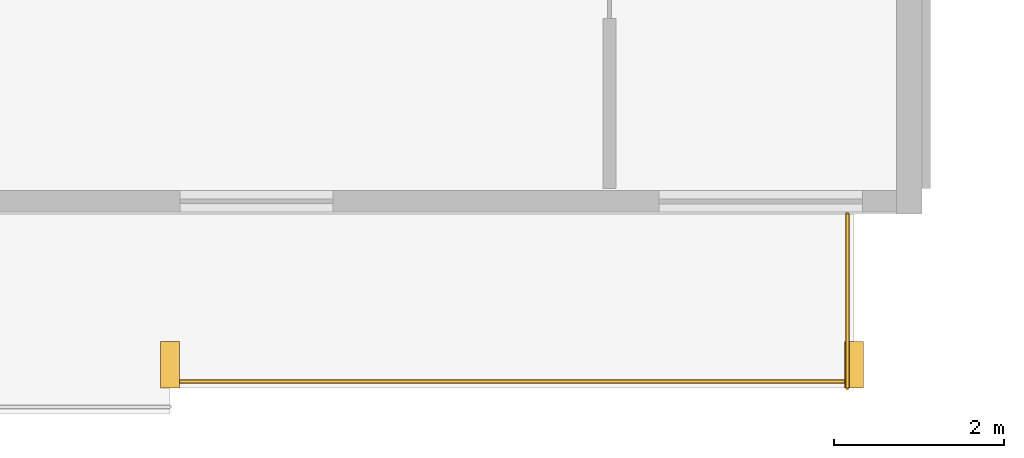
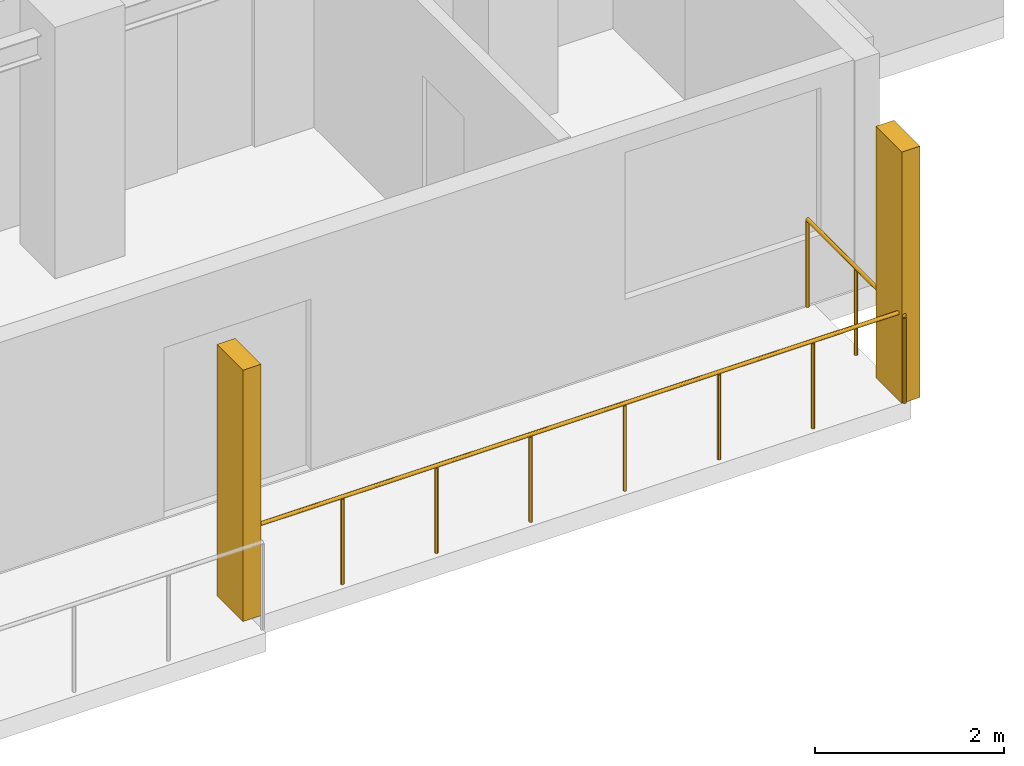
# One storey, part 20 of 22: 2 railings, 2 shading devices.
"""IFC4 building model written with IfcOpenShell, lengths in metres."""

from ifc_helpers import new_model, si_unit, direction, frame, origin, origin_2d, place, context, subcontext, project, spatial, rectangle, circle, extrude, material, type_object, element, save


model = new_model("IFC4")

# Units and contexts
model_context = context("Model", 3, precision=1e-05, world=origin(), true_north=direction((0.0, 1.0)))
body_context = subcontext(model_context, "Body", "Model", "MODEL_VIEW")
ifc_project = project(units=[si_unit("LENGTHUNIT", "METRE"), si_unit("AREAUNIT", "SQUARE_METRE"), si_unit("VOLUMEUNIT", "CUBIC_METRE"), si_unit("PLANEANGLEUNIT", "RADIAN"), si_unit("MASSUNIT", "GRAM", prefix="KILO")], contexts=[model_context])

# Site, building, storey
site_placement = place(None, origin())
site = spatial("IfcSite", under=ifc_project, at=site_placement, CompositionType="ELEMENT")
building_placement = place(site_placement, origin())
building = spatial("IfcBuilding", under=site, at=building_placement, Name="Korimba Cascade Residences", CompositionType="ELEMENT")
storey_placement = place(building_placement, frame((0.0, 0.0, 110.050048828125)))
storey = spatial("IfcBuildingStorey", under=building, at=storey_placement, Name="L31", CompositionType="ELEMENT", Elevation=110.050048828125)

# Railings
ifc_material_1 = material(Name="Laminated Glass and Bronze Balustrade", Category="glass")
railing_type = type_object("IfcRailingType", Name="RLG-LOG-1150", PredefinedType="BALUSTRADE", material=ifc_material_1)
railing_1_placement = place(storey_placement, frame((121.843017578125, -10.969970703125, 0.0)))
element("IfcRailing", 1, at=railing_1_placement, inside=storey, type_object=railing_type, Name="L31 Perimeter Guardrail RLG-L31-T2-LOG-06", PredefinedType="BALUSTRADE", context=body_context, shape_type="SweptSolid", body=[
    extrude(circle(Radius=0.02392578125, at=origin_2d()), frame((0.0, 0.0, 1.1259765625), z_axis=(1.0, 0.0, 0.0), x_axis=(0.0, 1.0, 0.0)), (0.0, 0.0, 1.0), 8.056884765625),
    extrude(circle(Radius=0.02099609375, at=origin_2d()), origin(), (0.0, 0.0, 1.0), 1.101806640625),
    extrude(circle(Radius=0.02099609375, at=origin_2d()), frame((1.15087890625, 0.0, 0.0)), (0.0, 0.0, 1.0), 1.101806640625),
    extrude(circle(Radius=0.02099609375, at=origin_2d()), frame((2.302001953125, 0.0, 0.0)), (0.0, 0.0, 1.0), 1.101806640625),
    extrude(circle(Radius=0.02099609375, at=origin_2d()), frame((3.452880859375, 0.0, 0.0)), (0.0, 0.0, 1.0), 1.101806640625),
    extrude(circle(Radius=0.02099609375, at=origin_2d()), frame((4.60400390625, 0.0, 0.0)), (0.0, 0.0, 1.0), 1.101806640625),
    extrude(circle(Radius=0.02099609375, at=origin_2d()), frame((5.7548828125, 0.0, 0.0)), (0.0, 0.0, 1.0), 1.101806640625),
    extrude(circle(Radius=0.02099609375, at=origin_2d()), frame((6.906005859375, 0.0, 0.0)), (0.0, 0.0, 1.0), 1.101806640625),
    extrude(circle(Radius=0.02099609375, at=origin_2d()), frame((8.056884765625, 0.0, 0.0)), (0.0, 0.0, 1.0), 1.101806640625),
])
railing_2_placement = place(storey_placement, frame((129.820068359375, -11.050048828125, 0.0)))
element("IfcRailing", 2, at=railing_2_placement, inside=storey, type_object=railing_type, Name="L31 Perimeter Guardrail RLG-L31-T2-LOG-07", PredefinedType="BALUSTRADE", context=body_context, shape_type="SweptSolid", body=[
    extrude(circle(Radius=0.02392578125, at=origin_2d()), frame((0.0, 0.0, 1.1259765625), z_axis=(0.0, 1.0, 0.0), x_axis=(-1.0, 0.0, 0.0)), (0.0, 0.0, 1.0), 2.050048828125),
    extrude(circle(Radius=0.02099609375, at=origin_2d()), origin(), (0.0, 0.0, 1.0), 1.101806640625),
    extrude(circle(Radius=0.02099609375, at=origin_2d()), frame((0.0, 1.02490234375, 0.0)), (0.0, 0.0, 1.0), 1.101806640625),
    extrude(circle(Radius=0.02099609375, at=origin_2d()), frame((0.0, 2.050048828125, 0.0)), (0.0, 0.0, 1.0), 1.101806640625),
])

# Shading devices
ifc_material_2 = material(Name="Honed Sandstone Precast Fin", Category="masonry")
shading_device_type = type_object("IfcShadingDeviceType", Name="SHD-FIN-550", PredefinedType="USERDEFINED", material=ifc_material_2)
for number, where, z_axis, x_axis, name in (
    (3, (121.843017578125, -10.77490234375, 0.0), (0.0, 0.0, 1.0), (1.0, 0.0, 0.0), "L31 T2 Warm-Stone Loggia Fin 7"),
    (4, (129.89990234375, -10.77490234375, 0.0), (0.0, 0.0, 1.0), (1.0, 0.0, 0.0), "L31 T2 Warm-Stone Loggia Fin 8"),
):
    element("IfcShadingDevice", number, at=place(storey_placement, frame(where, z_axis=z_axis, x_axis=x_axis)), inside=storey, type_object=shading_device_type, Name=name, ObjectType="FIN", PredefinedType="USERDEFINED", context=body_context, shape_type="SweptSolid", body=[
        extrude(rectangle(XDim=0.219970703125, YDim=0.550048828125, at=origin_2d()), origin(), (0.0, 0.0, 1.0), 3.25),
    ])

save(model, "model.ifc")
